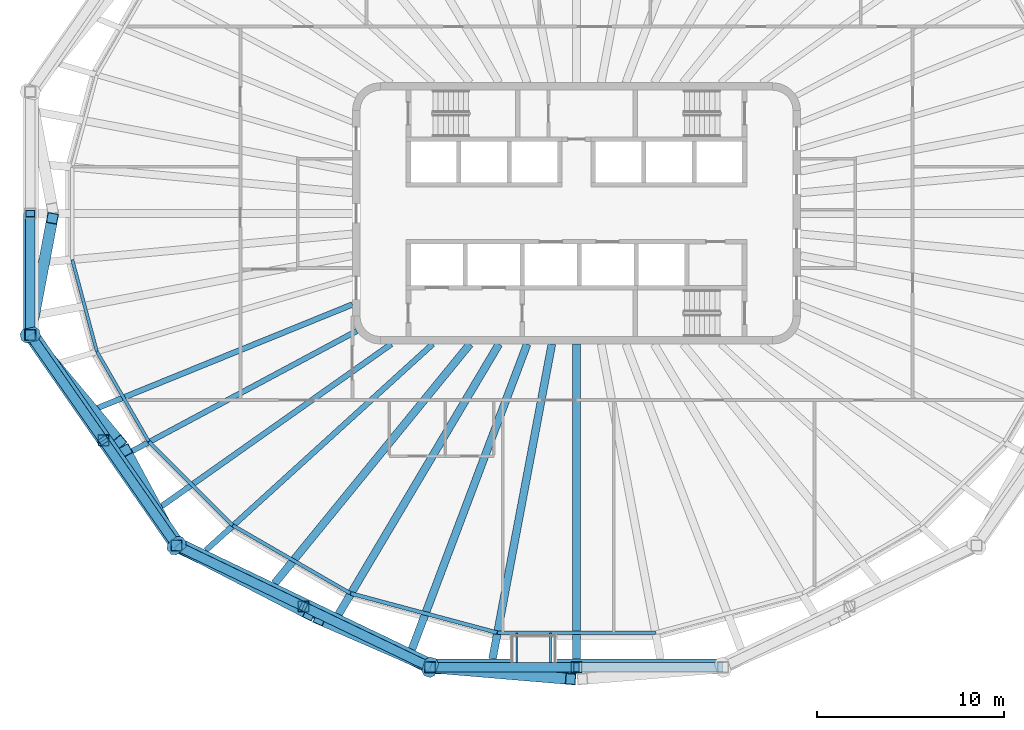
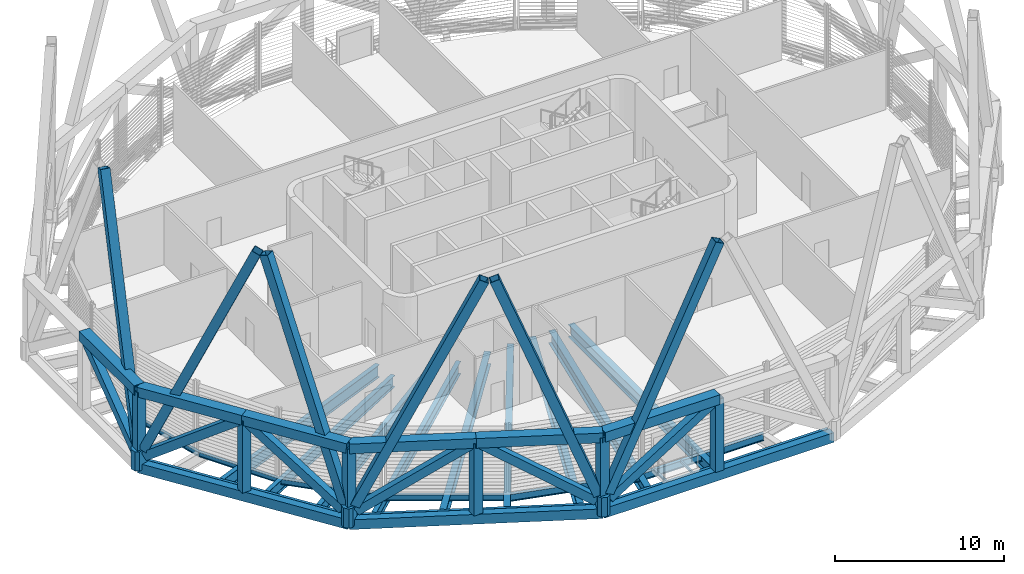
# One storey, part 1 of 16: 27 members, 23 beams.
"""IFC4 building model written with IfcOpenShell, lengths in metres."""

from ifc_helpers import new_model, si_unit, direction, frame, origin, origin_2d, place, context, subcontext, project, spatial, polyline, hollow_rectangle, i_section, outline, extrude, material, material_profile, profile_set, type_object, element, save


model = new_model("IFC4")

# Units and contexts
model_context = context("Model", 3, precision=1e-05, world=origin(), true_north=direction((0.0, 1.0)))
body_context = subcontext(model_context, "Body", "Model", "MODEL_VIEW")
ifc_project = project(units=[si_unit("LENGTHUNIT", "METRE"), si_unit("AREAUNIT", "SQUARE_METRE"), si_unit("VOLUMEUNIT", "CUBIC_METRE"), si_unit("PLANEANGLEUNIT", "RADIAN"), si_unit("MASSUNIT", "GRAM", prefix="KILO")], contexts=[model_context])

# Site, building, storey
site_placement = place(None, origin())
site = spatial("IfcSite", under=ifc_project, at=site_placement, CompositionType="ELEMENT")
building_placement = place(site_placement, origin())
building = spatial("IfcBuilding", under=site, at=building_placement, Name="Sahrelin Media Tower", CompositionType="ELEMENT")
storey_placement = place(building_placement, frame((0.0, 0.0, 299.0)))
storey = spatial("IfcBuildingStorey", under=building, at=storey_placement, Name="L66", CompositionType="ELEMENT", Elevation=299.0)

# Members
ifc_material_1 = material(Name="Steel S460", Category="steel")
ifc_material_profile_1 = material_profile(ifc_material_1, hollow_rectangle(XDim=0.699951171875, YDim=0.699951171875, WallThickness=0.044921875, at=origin_2d()), Name="Belt truss chord BC")
ifc_profile_set_1 = profile_set([ifc_material_profile_1], Name="Steel S460")
member_type_1 = type_object("IfcMemberType", Name="Belt truss chord BC", PredefinedType="CHORD", material=ifc_profile_set_1)
member_1_placement = place(storey_placement, frame((-29.249755859375, 0.0, 4.89990234375), z_axis=(0.0, -1.0, 0.0), x_axis=(1.0, 0.0, 0.0)))
element("IfcMember", 1, at=member_1_placement, inside=storey, type_object=member_type_1, Name="Belt truss member BT15-05-T2", PredefinedType="CHORD", context=body_context, shape_type="SweptSolid", body=[
    extrude(hollow_rectangle(XDim=0.699951171875, YDim=0.699951171875, WallThickness=0.044921875, at=origin_2d()), origin(), (0.0, 0.0, 1.0), 6.511962890625),
])
for number, where, z_axis, x_axis, name in (
    (2, (-29.249755859375, -6.511962890625, 4.89990234375), (0.57061963931, -0.821214483088, 0.0), (0.821214483088, 0.57061963931, 0.0), "Belt truss member BT15-06-T1"),
    (3, (-25.3310546875, -12.151611328125, 4.89990234375), (0.57061963931, -0.821214483088, 0.0), (0.821214483088, 0.57061963931, 0.0), "Belt truss member BT15-06-T2"),
):
    element("IfcMember", number, at=place(storey_placement, frame(where, z_axis=z_axis, x_axis=x_axis)), inside=storey, type_object=member_type_1, Name=name, PredefinedType="CHORD", context=body_context, shape_type="SweptSolid", body=[
        extrude(hollow_rectangle(XDim=0.699951171875, YDim=0.699951171875, WallThickness=0.044921875, at=origin_2d()), origin(), (0.0, 0.0, 1.0), 6.867431640625),
    ])
member_2_placement = place(storey_placement, frame((-21.412353515625, -17.791259765625, 4.89990234375), z_axis=(0.901630319663, -0.432507533651, 0.0), x_axis=(0.432507533651, 0.901630319663, 0.0)))
element("IfcMember", 4, at=member_2_placement, inside=storey, type_object=member_type_1, Name="Belt truss member BT15-07-T1", PredefinedType="CHORD", context=body_context, shape_type="SweptSolid", body=[
    extrude(hollow_rectangle(XDim=0.699951171875, YDim=0.699951171875, WallThickness=0.044921875, at=origin_2d()), origin(), (0.0, 0.0, 1.0), 7.52783203125),
])
member_3_placement = place(storey_placement, frame((-14.625, -21.047119140625, 4.89990234375), z_axis=(0.901623739504, -0.432521250765, 0.0), x_axis=(0.432521250765, 0.901623739504, 0.0)))
element("IfcMember", 5, at=member_3_placement, inside=storey, type_object=member_type_1, Name="Belt truss member BT15-07-T2", PredefinedType="CHORD", context=body_context, shape_type="SweptSolid", body=[
    extrude(hollow_rectangle(XDim=0.699951171875, YDim=0.699951171875, WallThickness=0.044921875, at=origin_2d()), origin(), (0.0, 0.0, 1.0), 7.528076171875),
])
member_4_placement = place(storey_placement, frame((-7.83740234375, -24.30322265625, 4.89990234375), z_axis=(1.0, 0.0, 0.0), x_axis=(0.0, 1.0, 0.0)))
element("IfcMember", 6, at=member_4_placement, inside=storey, type_object=member_type_1, Name="Belt truss member BT15-08-T1", PredefinedType="CHORD", context=body_context, shape_type="SweptSolid", body=[
    extrude(hollow_rectangle(XDim=0.699951171875, YDim=0.699951171875, WallThickness=0.044921875, at=origin_2d()), origin(), (0.0, 0.0, 1.0), 7.83740234375),
])
ifc_material_profile_2 = material_profile(ifc_material_1, hollow_rectangle(XDim=0.5, YDim=0.60009765625, WallThickness=0.030029296875, at=origin_2d()), Name="Belt truss diagonal BD")
ifc_profile_set_2 = profile_set([ifc_material_profile_2], Name="Steel S460")
member_type_2 = type_object("IfcMemberType", Name="Belt truss diagonal BD", PredefinedType="BRACE", material=ifc_profile_set_2)
member_5_placement = place(storey_placement, frame((-29.249755859375, -6.127685546875, 0.2890625), z_axis=(0.0, 0.799055387319, 0.601257422404), x_axis=(-1.0, 0.0, 0.0)))
element("IfcMember", 7, at=member_5_placement, inside=storey, type_object=member_type_2, Name="Belt truss member BT15-05-X2", PredefinedType="BRACE", context=body_context, shape_type="SweptSolid", body=[
    extrude(hollow_rectangle(XDim=0.5, YDim=0.60009765625, WallThickness=0.030029296875, at=origin_2d()), origin(), (0.0, 0.0, 1.0), 7.668701171875),
])
member_6_placement = place(storey_placement, frame((-29.0185546875, -6.8447265625, 0.2890625), z_axis=(0.464505666536, -0.668495741094, 0.580816606077), x_axis=(0.821213093628, 0.570621638964, 0.0)))
element("IfcMember", 8, at=member_6_placement, inside=storey, type_object=member_type_2, Name="Belt truss member BT15-06-X1", PredefinedType="BRACE", context=body_context, shape_type="SweptSolid", body=[
    extrude(hollow_rectangle(XDim=0.5, YDim=0.60009765625, WallThickness=0.030029296875, at=origin_2d()), origin(), (0.0, 0.0, 1.0), 7.9384765625),
])
member_7_placement = place(storey_placement, frame((-21.627197265625, -17.482177734375, 0.2685546875), z_axis=(-0.464498339308, 0.668502850205, 0.580814283612), x_axis=(-0.8212201551, -0.570611476276, 0.0)))
element("IfcMember", 9, at=member_7_placement, inside=storey, type_object=member_type_2, Name="Belt truss member BT15-06-X2", PredefinedType="BRACE", context=body_context, shape_type="SweptSolid", body=[
    extrude(hollow_rectangle(XDim=0.5, YDim=0.60009765625, WallThickness=0.030029296875, at=origin_2d()), origin(), (0.0, 0.0, 1.0), 7.973876953125),
])
member_8_placement = place(storey_placement, frame((-21.040283203125, -17.9697265625, 0.2685546875), z_axis=(0.755651842776, -0.362483977554, 0.545523288711), x_axis=(0.432509071773, 0.901629581832, 0.0)))
element("IfcMember", 10, at=member_8_placement, inside=storey, type_object=member_type_2, Name="Belt truss member BT15-07-X1", PredefinedType="BRACE", context=body_context, shape_type="SweptSolid", body=[
    extrude(hollow_rectangle(XDim=0.5, YDim=0.60009765625, WallThickness=0.030029296875, at=origin_2d()), origin(), (0.0, 0.0, 1.0), 8.48974609375),
])
member_9_placement = place(storey_placement, frame((-8.1787109375, -24.139404296875, 0.246337890625), z_axis=(-0.755659301313, 0.362489801183, 0.545509087347), x_axis=(-0.432511250119, -0.901628536882, 0.0)))
element("IfcMember", 11, at=member_9_placement, inside=storey, type_object=member_type_2, Name="Belt truss member BT15-07-X2", PredefinedType="BRACE", context=body_context, shape_type="SweptSolid", body=[
    extrude(hollow_rectangle(XDim=0.5, YDim=0.60009765625, WallThickness=0.030029296875, at=origin_2d()), origin(), (0.0, 0.0, 1.0), 8.53076171875),
])
member_10_placement = place(storey_placement, frame((-7.443359375, -24.30322265625, 0.246337890625), z_axis=(0.847923297656, 0.0, 0.530118931272), x_axis=(0.0, 1.0, 0.0)))
element("IfcMember", 12, at=member_10_placement, inside=storey, type_object=member_type_2, Name="Belt truss member BT15-08-X1", PredefinedType="BRACE", context=body_context, shape_type="SweptSolid", body=[
    extrude(hollow_rectangle(XDim=0.5, YDim=0.60009765625, WallThickness=0.030029296875, at=origin_2d()), origin(), (0.0, 0.0, 1.0), 8.7783203125),
])
ifc_material_profile_3 = material_profile(ifc_material_1, hollow_rectangle(XDim=0.60009765625, YDim=0.60009765625, WallThickness=0.034912109375, at=origin_2d()), Name="Belt truss post BP")
ifc_profile_set_3 = profile_set([ifc_material_profile_3], Name="Steel S460")
member_type_3 = type_object("IfcMemberType", Name="Belt truss post BP", PredefinedType="POST", material=ifc_profile_set_3)
member_11_placement = place(storey_placement, frame((-29.249755859375, -6.511962890625, 0.699951171875), z_axis=(0.0, 0.0, 1.0), x_axis=(1.0, 0.0, 0.0)))
element("IfcMember", 13, at=member_11_placement, inside=storey, type_object=member_type_3, Name="Belt truss member BT15-06-P0", PredefinedType="POST", context=body_context, shape_type="SweptSolid", body=[
    extrude(hollow_rectangle(XDim=0.60009765625, YDim=0.60009765625, WallThickness=0.034912109375, at=origin_2d()), origin(), (0.0, 0.0, 1.0), 4.199951171875),
])
member_12_placement = place(storey_placement, frame((-25.3310546875, -12.151611328125, -0.320068359375), z_axis=(0.0, 0.0, 1.0), x_axis=(1.0, 0.0, 0.0)))
element("IfcMember", 14, at=member_12_placement, inside=storey, type_object=member_type_3, Name="Belt truss member BT15-06-P1", PredefinedType="POST", context=body_context, shape_type="SweptSolid", body=[
    extrude(hollow_rectangle(XDim=0.60009765625, YDim=0.60009765625, WallThickness=0.034912109375, at=origin_2d()), origin(), (0.0, 0.0, 1.0), 5.219970703125),
])
member_13_placement = place(storey_placement, frame((-21.412353515625, -17.791259765625, 0.699951171875), z_axis=(0.0, 0.0, 1.0), x_axis=(1.0, 0.0, 0.0)))
element("IfcMember", 15, at=member_13_placement, inside=storey, type_object=member_type_3, Name="Belt truss member BT15-07-P0", PredefinedType="POST", context=body_context, shape_type="SweptSolid", body=[
    extrude(hollow_rectangle(XDim=0.60009765625, YDim=0.60009765625, WallThickness=0.034912109375, at=origin_2d()), origin(), (0.0, 0.0, 1.0), 4.199951171875),
])
member_14_placement = place(storey_placement, frame((-14.625, -21.047119140625, -0.320068359375), z_axis=(0.0, 0.0, 1.0), x_axis=(1.0, 0.0, 0.0)))
element("IfcMember", 16, at=member_14_placement, inside=storey, type_object=member_type_3, Name="Belt truss member BT15-07-P1", PredefinedType="POST", context=body_context, shape_type="SweptSolid", body=[
    extrude(hollow_rectangle(XDim=0.60009765625, YDim=0.60009765625, WallThickness=0.034912109375, at=origin_2d()), origin(), (0.0, 0.0, 1.0), 5.219970703125),
])
member_15_placement = place(storey_placement, frame((-7.83740234375, -24.30322265625, 0.699951171875), z_axis=(0.0, 0.0, 1.0), x_axis=(1.0, 0.0, 0.0)))
element("IfcMember", 17, at=member_15_placement, inside=storey, type_object=member_type_3, Name="Belt truss member BT15-08-P0", PredefinedType="POST", context=body_context, shape_type="SweptSolid", body=[
    extrude(hollow_rectangle(XDim=0.60009765625, YDim=0.60009765625, WallThickness=0.034912109375, at=origin_2d()), origin(), (0.0, 0.0, 1.0), 4.199951171875),
])
member_16_placement = place(storey_placement, frame((0.0, -24.30322265625, -0.320068359375), z_axis=(0.0, 0.0, 1.0), x_axis=(1.0, 0.0, 0.0)))
element("IfcMember", 18, at=member_16_placement, inside=storey, type_object=member_type_3, Name="Belt truss member BT15-08-P1", PredefinedType="POST", context=body_context, shape_type="SweptSolid", body=[
    extrude(hollow_rectangle(XDim=0.60009765625, YDim=0.60009765625, WallThickness=0.034912109375, at=origin_2d()), origin(), (0.0, 0.0, 1.0), 5.219970703125),
])
ifc_material_profile_4 = material_profile(ifc_material_1, hollow_rectangle(XDim=0.60009765625, YDim=0.60009765625, WallThickness=0.030029296875, at=origin_2d()), Name="Diagrid diagonal DG9")
ifc_profile_set_4 = profile_set([ifc_material_profile_4], Name="Steel S460")
member_type_4 = type_object("IfcMemberType", Name="Diagrid diagonal DG9", PredefinedType="BRACE", material=ifc_profile_set_4)
member_17_placement = place(storey_placement, frame((-29.2001953125, -6.25, 0.699951171875), z_axis=(0.066220612118, 0.349740084714, 0.934503453003), x_axis=(-0.982542746924, 0.186036959951, 0.0)))
element("IfcMember", 19, at=member_17_placement, inside=storey, type_object=member_type_4, Name="Diagrid diagonal D15-12", PredefinedType="BRACE", context=body_context, shape_type="SweptSolid", body=[
    extrude(hollow_rectangle(XDim=0.60009765625, YDim=0.60009765625, WallThickness=0.030029296875, at=origin_2d()), origin(), (0.0, 0.0, 1.0), 17.121337890625),
])
member_18_placement = place(storey_placement, frame((-29.049072265625, -6.752197265625, 0.699951171875), z_axis=(0.261627271763, -0.313183766773, 0.912944192654), x_axis=(0.767448460671, 0.641110645844, 0.0)))
element("IfcMember", 20, at=member_18_placement, inside=storey, type_object=member_type_4, Name="Diagrid diagonal D15-13", PredefinedType="BRACE", context=body_context, shape_type="SweptSolid", body=[
    extrude(hollow_rectangle(XDim=0.60009765625, YDim=0.60009765625, WallThickness=0.030029296875, at=origin_2d()), origin(), (0.0, 0.0, 1.0), 17.525634765625),
])
member_19_placement = place(storey_placement, frame((-21.527099609375, -17.57763671875, 0.699951171875), z_axis=(-0.154809391021, 0.288380611885, 0.944918343107), x_axis=(-0.88107296404, -0.472980371726, 0.0)))
element("IfcMember", 21, at=member_19_placement, inside=storey, type_object=member_type_4, Name="Diagrid diagonal D15-14", PredefinedType="BRACE", context=body_context, shape_type="SweptSolid", body=[
    extrude(hollow_rectangle(XDim=0.60009765625, YDim=0.60009765625, WallThickness=0.030029296875, at=origin_2d()), origin(), (0.0, 0.0, 1.0), 16.9326171875),
])
member_20_placement = place(storey_placement, frame((-21.114501953125, -17.945068359375, 0.699951171875), z_axis=(0.38375642094, -0.198346169942, 0.901881259511), x_axis=(0.459151636747, 0.888357908994, 0.0)))
element("IfcMember", 22, at=member_20_placement, inside=storey, type_object=member_type_4, Name="Diagrid diagonal D15-15", PredefinedType="BRACE", context=body_context, shape_type="SweptSolid", body=[
    extrude(hollow_rectangle(XDim=0.60009765625, YDim=0.60009765625, WallThickness=0.030029296875, at=origin_2d()), origin(), (0.0, 0.0, 1.0), 17.74072265625),
])
member_21_placement = place(storey_placement, frame((-8.085693359375, -24.1953125, 0.699951171875), z_axis=(-0.330766268766, 0.14395064145, 0.932669227686), x_axis=(-0.39905066652, -0.91692887704, 0.0)))
element("IfcMember", 23, at=member_21_placement, inside=storey, type_object=member_type_4, Name="Diagrid diagonal D15-16", PredefinedType="BRACE", context=body_context, shape_type="SweptSolid", body=[
    extrude(hollow_rectangle(XDim=0.60009765625, YDim=0.60009765625, WallThickness=0.030029296875, at=origin_2d()), origin(), (0.0, 0.0, 1.0), 17.155029296875),
])
member_22_placement = place(storey_placement, frame((-7.522216796875, -24.32958984375, 0.699951171875), z_axis=(0.410453220664, -0.034510328377, 0.911228396661), x_axis=(0.083782972623, 0.996484025712, 0.0)))
element("IfcMember", 24, at=member_22_placement, inside=storey, type_object=member_type_4, Name="Diagrid diagonal D15-17", PredefinedType="BRACE", context=body_context, shape_type="SweptSolid", body=[
    extrude(hollow_rectangle(XDim=0.60009765625, YDim=0.60009765625, WallThickness=0.030029296875, at=origin_2d()), origin(), (0.0, 0.0, 1.0), 17.55859375),
])
ifc_material_profile_5 = material_profile(ifc_material_1, outline(polyline([(0.324951171875, -0.375), (0.52490234375, -0.175048828125), (0.52490234375, 0.175048828125), (0.324951171875, 0.375), (-0.324951171875, 0.375), (-0.52490234375, 0.175048828125), (-0.52490234375, -0.175048828125), (-0.324951171875, -0.375), (0.324951171875, -0.375)])), Name="Diagrid node block 1050")
ifc_profile_set_5 = profile_set([ifc_material_profile_5], Name="Steel S460")
member_type_5 = type_object("IfcMemberType", Name="Diagrid node block 1050", PredefinedType="USERDEFINED", material=ifc_profile_set_5)
for number, where, z_axis, x_axis, name in (
    (25, (-29.249755859375, -6.511962890625, -0.699951171875), (0.0, 0.0, 1.0), (-0.976101825764, -0.21731365751, 0.0), "Diagrid node N15-06"),
    (26, (-21.412353515625, -17.791259765625, -0.699951171875), (0.0, 0.0, 1.0), (-0.769146421413, -0.639072595585, 0.0), "Diagrid node N15-07"),
    (27, (-7.83740234375, -24.30322265625, -0.699951171875), (0.0, 0.0, 1.0), (-0.306919783056, -0.951735386948, 0.0), "Diagrid node N15-08"),
):
    element("IfcMember", number, at=place(storey_placement, frame(where, z_axis=z_axis, x_axis=x_axis)), inside=storey, type_object=member_type_5, Name=name, ObjectType="NODE", PredefinedType="USERDEFINED", context=body_context, shape_type="SweptSolid", body=[
        extrude(outline(polyline([(0.324951171875, -0.375), (0.52490234375, -0.175048828125), (0.52490234375, 0.175048828125), (0.324951171875, 0.375), (-0.324951171875, 0.375), (-0.52490234375, 0.175048828125), (-0.52490234375, -0.175048828125), (-0.324951171875, -0.375), (0.324951171875, -0.375)])), origin(), (0.0, 0.0, 1.0), 1.39990234375),
    ])

# Beams
ifc_material_profile_6 = material_profile(ifc_material_1, hollow_rectangle(XDim=0.5, YDim=0.699951171875, WallThickness=0.034912109375, at=origin_2d()), Name="Diagrid ring beam RB2")
ifc_profile_set_6 = profile_set([ifc_material_profile_6], Name="Steel S460")
beam_type_1 = type_object("IfcBeamType", Name="Diagrid ring beam RB2", PredefinedType="BEAM", material=ifc_profile_set_6)
beam_1_placement = place(storey_placement, frame((-29.249755859375, -6.511962890625, -0.64990234375), z_axis=(0.57061963931, -0.821214483088, 0.0), x_axis=(0.821214483088, 0.57061963931, 0.0)))
element("IfcBeam", 28, at=beam_1_placement, inside=storey, type_object=beam_type_1, Name="Diagrid ring beam RB15-06", PredefinedType="BEAM", context=body_context, shape_type="SweptSolid", body=[
    extrude(hollow_rectangle(XDim=0.5, YDim=0.699951171875, WallThickness=0.034912109375, at=origin_2d()), origin(), (0.0, 0.0, 1.0), 13.73486328125),
])
beam_2_placement = place(storey_placement, frame((-21.412353515625, -17.791259765625, -0.64990234375), z_axis=(0.901627029538, -0.432514392369, 0.0), x_axis=(0.432514392369, 0.901627029538, 0.0)))
element("IfcBeam", 29, at=beam_2_placement, inside=storey, type_object=beam_type_1, Name="Diagrid ring beam RB15-07", PredefinedType="BEAM", context=body_context, shape_type="SweptSolid", body=[
    extrude(hollow_rectangle(XDim=0.5, YDim=0.699951171875, WallThickness=0.034912109375, at=origin_2d()), origin(), (0.0, 0.0, 1.0), 15.05615234375),
])
beam_3_placement = place(storey_placement, frame((-7.83740234375, -24.30322265625, -0.64990234375), z_axis=(1.0, 0.0, 0.0), x_axis=(0.0, 1.0, 0.0)))
element("IfcBeam", 30, at=beam_3_placement, inside=storey, type_object=beam_type_1, Name="Diagrid ring beam RB15-08", PredefinedType="BEAM", context=body_context, shape_type="SweptSolid", body=[
    extrude(hollow_rectangle(XDim=0.5, YDim=0.699951171875, WallThickness=0.034912109375, at=origin_2d()), origin(), (0.0, 0.0, 1.0), 15.6748046875),
])
ifc_material_2 = material(Name="Steel S355", Category="steel")
ifc_material_profile_7 = material_profile(ifc_material_2, i_section(OverallWidth=0.17138671875, OverallDepth=0.35498046875, WebThickness=0.00732421875, FlangeThickness=0.011474609375, FilletRadius=0.01025390625, at=origin_2d()), Name="UB 356x171x51")
ifc_profile_set_7 = profile_set([ifc_material_profile_7], Name="Steel S355")
beam_type_2 = type_object("IfcBeamType", Name="Edge beam EB3", PredefinedType="BEAM", material=ifc_profile_set_7)
beam_4_placement = place(storey_placement, frame((-22.904052734375, -12.209228515625, -0.4775390625), z_axis=(-0.499971556956, 0.866041824761, 0.0), x_axis=(-0.866041824761, -0.499971556956, 0.0)))
element("IfcBeam", 31, at=beam_4_placement, inside=storey, type_object=beam_type_2, Name="Edge beam L66-11", PredefinedType="BEAM", context=body_context, shape_type="SweptSolid", body=[
    extrude(i_section(OverallWidth=0.17138671875, OverallDepth=0.35498046875, WebThickness=0.00732421875, FlangeThickness=0.011474609375, FilletRadius=0.01025390625, at=origin_2d()), origin(), (0.0, 0.0, 1.0), 5.542724609375),
])
beam_5_placement = place(storey_placement, frame((-25.686279296875, -7.38232421875, -0.4775390625), z_axis=(-0.258828351964, 0.965923332475, 0.0), x_axis=(-0.965923332475, -0.258828351964, 0.0)))
element("IfcBeam", 32, at=beam_5_placement, inside=storey, type_object=beam_type_2, Name="Edge beam L66-12", PredefinedType="BEAM", context=body_context, shape_type="SweptSolid", body=[
    extrude(i_section(OverallWidth=0.17138671875, OverallDepth=0.35498046875, WebThickness=0.00732421875, FlangeThickness=0.011474609375, FilletRadius=0.01025390625, at=origin_2d()), origin(), (0.0, 0.0, 1.0), 5.070068359375),
])
ifc_material_profile_8 = material_profile(ifc_material_2, i_section(OverallWidth=0.177978515625, OverallDepth=0.406494140625, WebThickness=0.0078125, FlangeThickness=0.0126953125, FilletRadius=0.01025390625, at=origin_2d()), Name="UB 406x178x60")
ifc_profile_set_8 = profile_set([ifc_material_profile_8], Name="Steel S355")
beam_type_3 = type_object("IfcBeamType", Name="Edge beam EB4", PredefinedType="BEAM", material=ifc_profile_set_8)
beam_6_placement = place(storey_placement, frame((-18.424072265625, -16.6943359375, -0.503173828125), z_axis=(-0.707126124563, 0.707087437281, 0.0), x_axis=(-0.707087437281, -0.707126124563, 0.0)))
element("IfcBeam", 33, at=beam_6_placement, inside=storey, type_object=beam_type_3, Name="Edge beam L66-10", PredefinedType="BEAM", context=body_context, shape_type="SweptSolid", body=[
    extrude(i_section(OverallWidth=0.177978515625, OverallDepth=0.406494140625, WebThickness=0.0078125, FlangeThickness=0.0126953125, FilletRadius=0.01025390625, at=origin_2d()), origin(), (0.0, 0.0, 1.0), 6.310546875),
])
ifc_material_profile_9 = material_profile(ifc_material_2, i_section(OverallWidth=0.1904296875, OverallDepth=0.45703125, WebThickness=0.009033203125, FlangeThickness=0.014404296875, FilletRadius=0.01025390625, at=origin_2d()), Name="UB 457x191x74")
ifc_profile_set_9 = profile_set([ifc_material_profile_9], Name="Steel S355")
beam_type_4 = type_object("IfcBeamType", Name="Edge beam EB5", PredefinedType="BEAM", material=ifc_profile_set_9)
beam_7_placement = place(storey_placement, frame((-12.11328125, -20.34228515625, -0.528564453125), z_axis=(-0.866020397698, 0.500008670696, 0.0), x_axis=(-0.500008670696, -0.866020397698, 0.0)))
element("IfcBeam", 34, at=beam_7_placement, inside=storey, type_object=beam_type_4, Name="Edge beam L66-09", PredefinedType="BEAM", context=body_context, shape_type="SweptSolid", body=[
    extrude(i_section(OverallWidth=0.1904296875, OverallDepth=0.45703125, WebThickness=0.009033203125, FlangeThickness=0.014404296875, FilletRadius=0.01025390625, at=origin_2d()), origin(), (0.0, 0.0, 1.0), 7.260498046875),
])
ifc_material_profile_10 = material_profile(ifc_material_2, i_section(OverallWidth=0.208740234375, OverallDepth=0.5283203125, WebThickness=0.009521484375, FlangeThickness=0.01318359375, FilletRadius=0.0126953125, at=origin_2d()), Name="UB 533x210x82")
ifc_profile_set_10 = profile_set([ifc_material_profile_10], Name="Steel S355")
beam_type_5 = type_object("IfcBeamType", Name="Edge beam EB6", PredefinedType="BEAM", material=ifc_profile_set_10)
beam_8_placement = place(storey_placement, frame((4.2275390625, -22.455322265625, -0.564208984375), z_axis=(-1.0, 0.0, 0.0), x_axis=(0.0, -1.0, 0.0)))
element("IfcBeam", 35, at=beam_8_placement, inside=storey, type_object=beam_type_5, Name="Edge beam L66-07", PredefinedType="BEAM", context=body_context, shape_type="SweptSolid", body=[
    extrude(i_section(OverallWidth=0.208740234375, OverallDepth=0.5283203125, WebThickness=0.009521484375, FlangeThickness=0.01318359375, FilletRadius=0.0126953125, at=origin_2d()), origin(), (0.0, 0.0, 1.0), 8.455078125),
])
beam_9_placement = place(storey_placement, frame((-4.256103515625, -22.451416015625, -0.564208984375), z_axis=(-0.9659348785, 0.25878525943, 0.0), x_axis=(-0.25878525943, -0.9659348785, 0.0)))
element("IfcBeam", 36, at=beam_9_placement, inside=storey, type_object=beam_type_5, Name="Edge beam L66-08", PredefinedType="BEAM", context=body_context, shape_type="SweptSolid", body=[
    extrude(i_section(OverallWidth=0.208740234375, OverallDepth=0.5283203125, WebThickness=0.009521484375, FlangeThickness=0.01318359375, FilletRadius=0.0126953125, at=origin_2d()), origin(), (0.0, 0.0, 1.0), 8.106689453125),
])
ifc_material_profile_11 = material_profile(ifc_material_2, hollow_rectangle(XDim=0.10009765625, YDim=0.199951171875, WallThickness=0.008056640625, at=origin_2d()), Name="RHS 200x100x8")
ifc_profile_set_11 = profile_set([ifc_material_profile_11], Name="Steel S355")
beam_type_6 = type_object("IfcBeamType", Name="Platform support beam", PredefinedType="BEAM", material=ifc_profile_set_11)
for number, where, z_axis, x_axis, name in (
    (37, (-3.199951171875, -22.460205078125, -0.39990234375), (0.0, -1.0, 0.0), (1.0, 0.0, 0.0), "Platform support beam L66-18"),
    (38, (-1.39990234375, -22.460205078125, -0.39990234375), (0.0, -1.0, 0.0), (1.0, 0.0, 0.0), "Platform support beam L66-18"),
):
    element("IfcBeam", number, at=place(storey_placement, frame(where, z_axis=z_axis, x_axis=x_axis)), inside=storey, type_object=beam_type_6, Name=name, PredefinedType="BEAM", context=body_context, shape_type="SweptSolid", body=[
        extrude(hollow_rectangle(XDim=0.10009765625, YDim=0.199951171875, WallThickness=0.008056640625, at=origin_2d()), origin(), (0.0, 0.0, 1.0), 1.593017578125),
    ])
ifc_material_profile_12 = material_profile(ifc_material_2, i_section(OverallWidth=0.291748046875, OverallDepth=0.8349609375, WebThickness=0.013916015625, FlangeThickness=0.018798828125, FilletRadius=0.017822265625, at=origin_2d()), Name="UB 838x292x176")
ifc_profile_set_12 = profile_set([ifc_material_profile_12], Name="Steel S355")
beam_type_7 = type_object("IfcBeamType", Name="Radial primary beam PB10", PredefinedType="BEAM", material=ifc_profile_set_12)
beam_10_placement = place(storey_placement, frame((-11.76513671875, -6.294189453125, -0.71728515625), z_axis=(-0.881741530258, -0.471732841573, 0.0), x_axis=(0.471732841573, -0.881741530258, 0.0)))
element("IfcBeam", 39, at=beam_10_placement, inside=storey, type_object=beam_type_7, Name="Radial beam L66-15", PredefinedType="BEAM", context=body_context, shape_type="SweptSolid", body=[
    extrude(i_section(OverallWidth=0.291748046875, OverallDepth=0.8349609375, WebThickness=0.013916015625, FlangeThickness=0.018798828125, FilletRadius=0.017822265625, at=origin_2d()), origin(), (0.0, 0.0, 1.0), 14.132568359375),
])
ifc_material_profile_13 = material_profile(ifc_material_2, i_section(OverallWidth=0.30322265625, OverallDepth=0.903076171875, WebThickness=0.01513671875, FlangeThickness=0.020263671875, FilletRadius=0.01904296875, at=origin_2d()), Name="UB 914x305x201")
ifc_profile_set_13 = profile_set([ifc_material_profile_13], Name="Steel S355")
beam_type_8 = type_object("IfcBeamType", Name="Radial primary beam PB11", PredefinedType="BEAM", material=ifc_profile_set_13)
beam_11_placement = place(storey_placement, frame((-7.699462890625, -7.0, -0.75146484375), z_axis=(-0.739921909671, -0.672692773552, 0.0), x_axis=(0.672692773552, -0.739921909671, 0.0)))
element("IfcBeam", 40, at=beam_11_placement, inside=storey, type_object=beam_type_8, Name="Radial beam L66-16", PredefinedType="BEAM", context=body_context, shape_type="SweptSolid", body=[
    extrude(i_section(OverallWidth=0.30322265625, OverallDepth=0.903076171875, WebThickness=0.01513671875, FlangeThickness=0.020263671875, FilletRadius=0.01904296875, at=origin_2d()), origin(), (0.0, 0.0, 1.0), 16.421630859375),
])
ifc_material_profile_14 = material_profile(ifc_material_2, i_section(OverallWidth=0.41845703125, OverallDepth=0.911865234375, WebThickness=0.019287109375, FlangeThickness=0.031982421875, FilletRadius=0.024169921875, at=origin_2d()), Name="UB 914x419x343")
ifc_profile_set_14 = profile_set([ifc_material_profile_14], Name="Steel S355")
beam_type_9 = type_object("IfcBeamType", Name="Radial primary beam PB12", PredefinedType="BEAM", material=ifc_profile_set_14)
beam_12_placement = place(storey_placement, frame((-4.15380859375, -7.0, -0.755859375), z_axis=(-0.510328059934, -0.859979808626, 0.0), x_axis=(0.859979808626, -0.510328059934, 0.0)))
element("IfcBeam", 41, at=beam_12_placement, inside=storey, type_object=beam_type_9, Name="Radial beam L66-17", PredefinedType="BEAM", context=body_context, shape_type="SweptSolid", body=[
    extrude(i_section(OverallWidth=0.41845703125, OverallDepth=0.911865234375, WebThickness=0.019287109375, FlangeThickness=0.031982421875, FilletRadius=0.024169921875, at=origin_2d()), origin(), (0.0, 0.0, 1.0), 16.814208984375),
])
beam_13_placement = place(storey_placement, frame((-1.319580078125, -7.0, -0.755859375), z_axis=(-0.18526628542, -0.982688355221, 0.0), x_axis=(0.982688355221, -0.18526628542, 0.0)))
element("IfcBeam", 42, at=beam_13_placement, inside=storey, type_object=beam_type_9, Name="Radial beam L66-18", PredefinedType="BEAM", context=body_context, shape_type="SweptSolid", body=[
    extrude(i_section(OverallWidth=0.41845703125, OverallDepth=0.911865234375, WebThickness=0.019287109375, FlangeThickness=0.031982421875, FilletRadius=0.024169921875, at=origin_2d()), origin(), (0.0, 0.0, 1.0), 17.15478515625),
])
ifc_material_profile_15 = material_profile(ifc_material_2, i_section(OverallWidth=0.30322265625, OverallDepth=0.903076171875, WebThickness=0.01513671875, FlangeThickness=0.020263671875, FilletRadius=0.01904296875, at=origin_2d()), Name="UB 914x305x201")
ifc_profile_set_15 = profile_set([ifc_material_profile_15], Name="Steel S355")
beam_type_10 = type_object("IfcBeamType", Name="Radial secondary beam SB11", PredefinedType="BEAM", material=ifc_profile_set_15)
beam_14_placement = place(storey_placement, frame((-12.0, -4.878662109375, -0.75146484375), z_axis=(-0.926368760693, -0.376617736189, 0.0), x_axis=(0.376617736189, -0.926368760693, 0.0)))
element("IfcBeam", 43, at=beam_14_placement, inside=storey, type_object=beam_type_10, Name="Secondary beam L66-14", PredefinedType="BEAM", context=body_context, shape_type="SweptSolid", body=[
    extrude(i_section(OverallWidth=0.30322265625, OverallDepth=0.903076171875, WebThickness=0.01513671875, FlangeThickness=0.020263671875, FilletRadius=0.01904296875, at=origin_2d()), origin(), (0.0, 0.0, 1.0), 15.017822265625),
])
beam_15_placement = place(storey_placement, frame((-9.9189453125, -7.0, -0.75146484375), z_axis=(-0.817034395739, -0.576588931717, 0.0), x_axis=(0.576588931717, -0.817034395739, 0.0)))
element("IfcBeam", 44, at=beam_15_placement, inside=storey, type_object=beam_type_10, Name="Secondary beam L66-15", PredefinedType="BEAM", context=body_context, shape_type="SweptSolid", body=[
    extrude(i_section(OverallWidth=0.30322265625, OverallDepth=0.903076171875, WebThickness=0.01513671875, FlangeThickness=0.020263671875, FilletRadius=0.01904296875, at=origin_2d()), origin(), (0.0, 0.0, 1.0), 15.1513671875),
])
ifc_material_profile_16 = material_profile(ifc_material_2, i_section(OverallWidth=0.41845703125, OverallDepth=0.911865234375, WebThickness=0.019287109375, FlangeThickness=0.031982421875, FilletRadius=0.024169921875, at=origin_2d()), Name="UB 914x419x343")
ifc_profile_set_16 = profile_set([ifc_material_profile_16], Name="Steel S355")
beam_type_11 = type_object("IfcBeamType", Name="Radial secondary beam SB12", PredefinedType="BEAM", material=ifc_profile_set_16)
beam_16_placement = place(storey_placement, frame((-5.7099609375, -7.0, -0.755859375), z_axis=(-0.632094771487, -0.774891089031, 0.0), x_axis=(0.774891089031, -0.632094771487, 0.0)))
element("IfcBeam", 45, at=beam_16_placement, inside=storey, type_object=beam_type_11, Name="Secondary beam L66-16", PredefinedType="BEAM", context=body_context, shape_type="SweptSolid", body=[
    extrude(i_section(OverallWidth=0.41845703125, OverallDepth=0.911865234375, WebThickness=0.019287109375, FlangeThickness=0.031982421875, FilletRadius=0.024169921875, at=origin_2d()), origin(), (0.0, 0.0, 1.0), 16.5380859375),
])
beam_17_placement = place(storey_placement, frame((-2.642333984375, -7.0, -0.755859375), z_axis=(-0.353164360149, -0.935561293941, 0.0), x_axis=(0.935561293941, -0.353164360149, 0.0)))
element("IfcBeam", 46, at=beam_17_placement, inside=storey, type_object=beam_type_11, Name="Secondary beam L66-17", PredefinedType="BEAM", context=body_context, shape_type="SweptSolid", body=[
    extrude(i_section(OverallWidth=0.41845703125, OverallDepth=0.911865234375, WebThickness=0.019287109375, FlangeThickness=0.031982421875, FilletRadius=0.024169921875, at=origin_2d()), origin(), (0.0, 0.0, 1.0), 17.467529296875),
])
beam_18_placement = place(storey_placement, frame((0.0, -7.0, -0.755859375), z_axis=(0.0, -1.0, 0.0), x_axis=(1.0, 0.0, 0.0)))
element("IfcBeam", 47, at=beam_18_placement, inside=storey, type_object=beam_type_11, Name="Secondary beam L66-18", PredefinedType="BEAM", context=body_context, shape_type="SweptSolid", body=[
    extrude(i_section(OverallWidth=0.41845703125, OverallDepth=0.911865234375, WebThickness=0.019287109375, FlangeThickness=0.031982421875, FilletRadius=0.024169921875, at=origin_2d()), origin(), (0.0, 0.0, 1.0), 16.85791015625),
])
ifc_material_profile_17 = material_profile(ifc_material_2, i_section(OverallWidth=0.1904296875, OverallDepth=0.45703125, WebThickness=0.009033203125, FlangeThickness=0.014404296875, FilletRadius=0.01025390625, at=origin_2d()), Name="UB 457x191x74")
ifc_profile_set_17 = profile_set([ifc_material_profile_17], Name="Steel S355")
beam_type_12 = type_object("IfcBeamType", Name="Tie chord TC5", PredefinedType="BEAM", material=ifc_profile_set_17)
beam_19_placement = place(storey_placement, frame((7.7578125, -23.952880859375, -0.528564453125), z_axis=(-1.0, 0.0, 0.0), x_axis=(0.0, -1.0, 0.0)))
element("IfcBeam", 48, at=beam_19_placement, inside=storey, type_object=beam_type_12, Name="Tie chord L66-04", PredefinedType="BEAM", context=body_context, shape_type="SweptSolid", body=[
    extrude(i_section(OverallWidth=0.1904296875, OverallDepth=0.45703125, WebThickness=0.009033203125, FlangeThickness=0.014404296875, FilletRadius=0.01025390625, at=origin_2d()), origin(), (0.0, 0.0, 1.0), 15.515625),
])
beam_20_placement = place(storey_placement, frame((-7.7578125, -23.952880859375, -0.528564453125), z_axis=(-0.901626441331, 0.432515618553, 0.0), x_axis=(-0.432515618553, -0.901626441331, 0.0)))
element("IfcBeam", 49, at=beam_20_placement, inside=storey, type_object=beam_type_12, Name="Tie chord L66-05", PredefinedType="BEAM", context=body_context, shape_type="SweptSolid", body=[
    extrude(i_section(OverallWidth=0.1904296875, OverallDepth=0.45703125, WebThickness=0.009033203125, FlangeThickness=0.014404296875, FilletRadius=0.01025390625, at=origin_2d()), origin(), (0.0, 0.0, 1.0), 14.8837890625),
])
beam_21_placement = place(storey_placement, frame((-21.177490234375, -17.515380859375, -0.528564453125), z_axis=(-0.57062197312, 0.821212861439, 0.0), x_axis=(-0.821212861439, -0.57062197312, 0.0)))
element("IfcBeam", 50, at=beam_21_placement, inside=storey, type_object=beam_type_12, Name="Tie chord L66-06", PredefinedType="BEAM", context=body_context, shape_type="SweptSolid", body=[
    extrude(i_section(OverallWidth=0.1904296875, OverallDepth=0.45703125, WebThickness=0.009033203125, FlangeThickness=0.014404296875, FilletRadius=0.01025390625, at=origin_2d()), origin(), (0.0, 0.0, 1.0), 13.532470703125),
])

save(model, "model.ifc")
